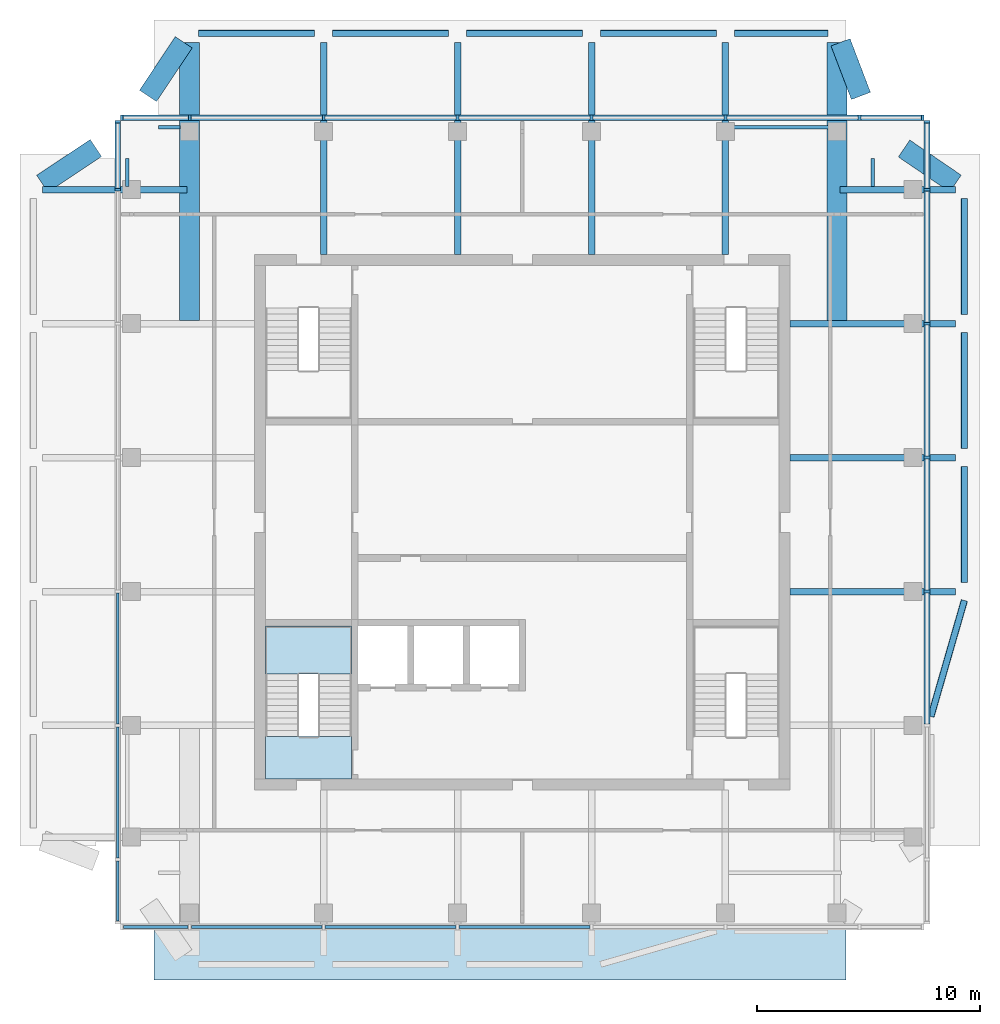
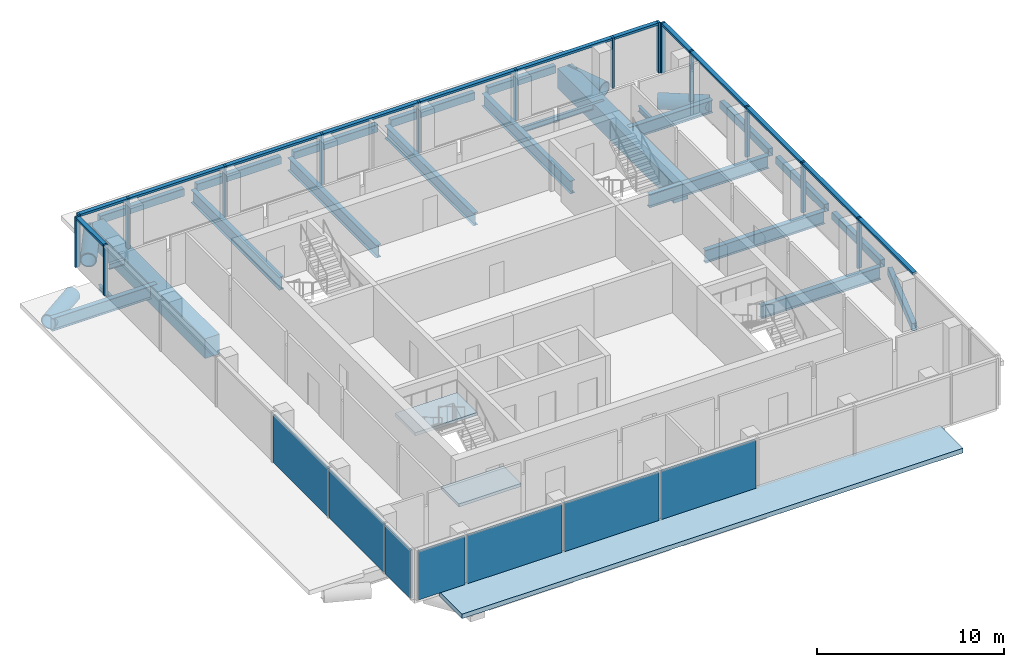
# One storey, part 2 of 6: 28 beams, 28 members, 7 plates, 3 slabs, 5 elements without a shape of their own.
"""IFC4 building model written with IfcOpenShell, lengths in metres."""

from ifc_helpers import new_model, si_unit, direction, frame, origin, origin_2d, place, context, subcontext, project, spatial, polyline, rectangle, hollow_rectangle, hollow_circle, i_section, outline, extrude, material, layer, layer_set, material_profile, profile_set, type_object, element, aggregate, save


model = new_model("IFC4")

# Units and contexts
model_context = context("Model", 3, precision=1e-05, world=origin(), true_north=direction((0.0, 1.0)))
body_context = subcontext(model_context, "Body", "Model", "MODEL_VIEW")
ifc_project = project(units=[si_unit("LENGTHUNIT", "METRE"), si_unit("AREAUNIT", "SQUARE_METRE"), si_unit("VOLUMEUNIT", "CUBIC_METRE"), si_unit("PLANEANGLEUNIT", "RADIAN"), si_unit("MASSUNIT", "GRAM", prefix="KILO")], contexts=[model_context])

# Site, building, storey
site_placement = place(None, origin())
site = spatial("IfcSite", under=ifc_project, at=site_placement, CompositionType="ELEMENT")
building_placement = place(site_placement, origin())
building = spatial("IfcBuilding", under=site, at=building_placement, Name="Amberfall Residences", CompositionType="ELEMENT")
storey_placement = place(building_placement, frame((0.0, 0.0, 290.800048828125)))
storey = spatial("IfcBuildingStorey", under=building, at=storey_placement, Name="L78 Crown", CompositionType="ELEMENT", Elevation=290.800048828125)

# Beams
ifc_material_1 = material(Name="Steel S355", Category="steel")
ifc_material_profile_1 = material_profile(ifc_material_1, hollow_circle(Radius=0.457275390625, WallThickness=0.06005859375, at=origin_2d()), Name="CHS 914.4x60")
ifc_profile_set_1 = profile_set([ifc_material_profile_1], Name="Steel S355")
beam_type_1 = type_object("IfcBeamType", Name="Belt truss chord BT CHS 914.4x60", PredefinedType="BEAM", material=ifc_profile_set_1)
beam_1_placement = place(storey_placement, frame((89.666748046875, 64.60009765625, -0.75732421875), z_axis=(-0.356015093317, 0.934480204889, 0.0), x_axis=(-0.934480204889, -0.356015093317, 0.0)))
element("IfcBeam", 1, at=beam_1_placement, inside=storey, type_object=beam_type_1, Name="Belt truss chord BT BT2 L78 Crown 49", PredefinedType="BEAM", context=body_context, shape_type="SweptSolid", body=[
    extrude(hollow_circle(Radius=0.457275390625, WallThickness=0.06005859375, at=origin_2d()), origin(), (0.0, 0.0, 1.0), 2.568115234375),
])
beam_2_placement = place(storey_placement, frame((91.60009765625, 62.243896484375, -0.75732421875), z_axis=(0.825767125082, -0.564011218979, 0.0), x_axis=(0.564011218979, 0.825767125082, 0.0)))
element("IfcBeam", 2, at=beam_2_placement, inside=storey, type_object=beam_type_1, Name="Belt truss chord BT BT2 L78 Crown 50", PredefinedType="BEAM", context=body_context, shape_type="SweptSolid", body=[
    extrude(hollow_circle(Radius=0.457275390625, WallThickness=0.06005859375, at=origin_2d()), origin(), (0.0, 0.0, 1.0), 2.78515625),
])
for number, where, z_axis, x_axis, name in (
    (3, (57.7333984375, 64.60009765625, -0.75732421875), (0.554680662541, 0.832063316463, 0.0), (-0.832063316463, 0.554680662541, 0.0), "Belt truss chord BT BT2 L78 Crown 51"),
    (4, (55.39990234375, 62.2666015625, -0.75732421875), (-0.832063316463, -0.554680662541, 0.0), (0.554680662541, -0.832063316463, 0.0), "Belt truss chord BT BT2 L78 Crown 52"),
):
    element("IfcBeam", number, at=place(storey_placement, frame(where, z_axis=z_axis, x_axis=x_axis)), inside=storey, type_object=beam_type_1, Name=name, PredefinedType="BEAM", context=body_context, shape_type="SweptSolid", body=[
        extrude(hollow_circle(Radius=0.457275390625, WallThickness=0.06005859375, at=origin_2d()), origin(), (0.0, 0.0, 1.0), 2.88427734375),
    ])
ifc_material_profile_2 = material_profile(ifc_material_1, hollow_rectangle(XDim=0.300048828125, YDim=0.5, WallThickness=0.01611328125, InnerFilletRadius=0.01611328125, OuterFilletRadius=0.02392578125, at=origin_2d()), Name="RHS 500x300x16")
ifc_profile_set_2 = profile_set([ifc_material_profile_2], Name="Steel S355")
beam_type_2 = type_object("IfcBeamType", Name="Belt truss chord BT RHS 500x300x16", PredefinedType="BEAM", material=ifc_profile_set_2)
beam_3_placement = place(storey_placement, frame((92.800048828125, 36.800048828125, -0.550048828125), z_axis=(0.277163053945, 0.960822898108, 0.0), x_axis=(-0.960822898108, 0.277163053945, 0.0)))
element("IfcBeam", 5, at=beam_3_placement, inside=storey, type_object=beam_type_2, Name="Belt truss chord BT BT1 L78 Crown 13", PredefinedType="BEAM", context=body_context, shape_type="SweptSolid", body=[
    extrude(hollow_rectangle(XDim=0.300048828125, YDim=0.5, WallThickness=0.01611328125, InnerFilletRadius=0.01611328125, OuterFilletRadius=0.02392578125, at=origin_2d()), origin(), (0.0, 0.0, 1.0), 5.411865234375),
])
for number, where, z_axis, x_axis, name in (
    (6, (94.300048828125, 42.800048828125, -0.550048828125), (0.0, 1.0, 0.0), (-1.0, 0.0, 0.0), "Belt truss chord BT BT1 L78 Crown 14"),
    (7, (94.300048828125, 48.800048828125, -0.550048828125), (0.0, 1.0, 0.0), (-1.0, 0.0, 0.0), "Belt truss chord BT BT1 L78 Crown 15"),
    (8, (94.300048828125, 54.800048828125, -0.550048828125), (0.0, 1.0, 0.0), (-1.0, 0.0, 0.0), "Belt truss chord BT BT1 L78 Crown 16"),
    (9, (60.0, 67.39990234375, -0.550048828125), (1.0, 0.0, 0.0), (0.0, 1.0, 0.0), "Belt truss chord BT BT1 L78 Crown 23"),
    (10, (66.0, 67.39990234375, -0.550048828125), (1.0, 0.0, 0.0), (0.0, 1.0, 0.0), "Belt truss chord BT BT1 L78 Crown 24"),
    (11, (72.0, 67.39990234375, -0.550048828125), (1.0, 0.0, 0.0), (0.0, 1.0, 0.0), "Belt truss chord BT BT1 L78 Crown 25"),
    (12, (78.0, 67.39990234375, -0.550048828125), (1.0, 0.0, 0.0), (0.0, 1.0, 0.0), "Belt truss chord BT BT1 L78 Crown 26"),
):
    element("IfcBeam", number, at=place(storey_placement, frame(where, z_axis=z_axis, x_axis=x_axis)), inside=storey, type_object=beam_type_2, Name=name, PredefinedType="BEAM", context=body_context, shape_type="SweptSolid", body=[
        extrude(hollow_rectangle(XDim=0.300048828125, YDim=0.5, WallThickness=0.01611328125, InnerFilletRadius=0.01611328125, OuterFilletRadius=0.02392578125, at=origin_2d()), origin(), (0.0, 0.0, 1.0), 5.199951171875),
    ])
beam_4_placement = place(storey_placement, frame((84.0, 67.39990234375, -0.550048828125), z_axis=(1.0, 0.0, 0.0), x_axis=(0.0, 1.0, 0.0)))
element("IfcBeam", 13, at=beam_4_placement, inside=storey, type_object=beam_type_2, Name="Belt truss chord BT BT1 L78 Crown 27", PredefinedType="BEAM", context=body_context, shape_type="SweptSolid", body=[
    extrude(hollow_rectangle(XDim=0.300048828125, YDim=0.5, WallThickness=0.01611328125, InnerFilletRadius=0.01611328125, OuterFilletRadius=0.02392578125, at=origin_2d()), origin(), (0.0, 0.0, 1.0), 4.199951171875),
])

# Curtain wall, members
ifc_material_2 = material(Name="Bronze anodised aluminium and glass", Category="aluminium")
curtain_wall_type = type_object("IfcCurtainWallType", Name="Curtain wall CW6 crown louvre", PredefinedType="USERDEFINED", material=ifc_material_2)
curtain_wall_1_placement = place(storey_placement, origin())
curtain_wall_1 = element("IfcCurtainWall", 14, at=curtain_wall_1_placement, inside=storey, type_object=curtain_wall_type, Name="Curtain wall L78 Crown E E1", ObjectType="UNITISED CURTAIN WALL", PredefinedType="USERDEFINED")
ifc_material_3 = material(Name="Bronze anodised aluminium", Category="aluminium")
ifc_material_profile_3 = material_profile(ifc_material_3, rectangle(XDim=0.25, YDim=0.1201171875, at=origin_2d()), Name="CW6 mullion 120 x 250 bronze")
ifc_profile_set_3 = profile_set([ifc_material_profile_3], Name="Bronze anodised aluminium")
member_type_1 = type_object("IfcMemberType", Name="CW6 mullion 120 x 250 bronze", PredefinedType="MULLION", material=ifc_profile_set_3)
member_1_placement = place(storey_placement, frame((92.625, 42.39990234375, 0.0), z_axis=(0.0, 0.0, 1.0), x_axis=(-1.0, 0.0, 0.0)))
member_1 = element("IfcMember", 15, at=member_1_placement, type_object=member_type_1, Name="CW6 mullion 4", PredefinedType="MULLION", context=body_context, shape_type="SweptSolid", body=[
    extrude(rectangle(XDim=0.25, YDim=0.1201171875, at=origin_2d()), origin(), (0.0, 0.0, 1.0), 3.300048828125),
])
member_2_placement = place(storey_placement, frame((92.625, 48.39990234375, 0.0), z_axis=(0.0, 0.0, 1.0), x_axis=(-1.0, 0.0, 0.0)))
member_2 = element("IfcMember", 16, at=member_2_placement, type_object=member_type_1, Name="CW6 mullion 5", PredefinedType="MULLION", context=body_context, shape_type="SweptSolid", body=[
    extrude(rectangle(XDim=0.25, YDim=0.1201171875, at=origin_2d()), origin(), (0.0, 0.0, 1.0), 3.300048828125),
])
member_3_placement = place(storey_placement, frame((92.625, 54.39990234375, 0.0), z_axis=(0.0, 0.0, 1.0), x_axis=(-1.0, 0.0, 0.0)))
member_3 = element("IfcMember", 17, at=member_3_placement, type_object=member_type_1, Name="CW6 mullion 6", PredefinedType="MULLION", context=body_context, shape_type="SweptSolid", body=[
    extrude(rectangle(XDim=0.25, YDim=0.1201171875, at=origin_2d()), origin(), (0.0, 0.0, 1.0), 3.300048828125),
])
member_4_placement = place(storey_placement, frame((92.625, 60.39990234375, 0.0), z_axis=(0.0, 0.0, 1.0), x_axis=(-1.0, 0.0, 0.0)))
member_4 = element("IfcMember", 18, at=member_4_placement, type_object=member_type_1, Name="CW6 mullion 7", PredefinedType="MULLION", context=body_context, shape_type="SweptSolid", body=[
    extrude(rectangle(XDim=0.25, YDim=0.1201171875, at=origin_2d()), origin(), (0.0, 0.0, 1.0), 3.300048828125),
])
member_5_placement = place(storey_placement, frame((92.625, 63.43994140625, 0.0), z_axis=(0.0, 0.0, 1.0), x_axis=(-1.0, 0.0, 0.0)))
member_5 = element("IfcMember", 19, at=member_5_placement, type_object=member_type_1, Name="CW6 mullion 8", PredefinedType="MULLION", context=body_context, shape_type="SweptSolid", body=[
    extrude(rectangle(XDim=0.25, YDim=0.1201171875, at=origin_2d()), origin(), (0.0, 0.0, 1.0), 3.300048828125),
])

curtain_wall_2_placement = place(storey_placement, origin())
curtain_wall_2 = element("IfcCurtainWall", 20, at=curtain_wall_2_placement, inside=storey, type_object=curtain_wall_type, Name="Curtain wall L78 Crown N N1", ObjectType="UNITISED CURTAIN WALL", PredefinedType="USERDEFINED")
member_6_placement = place(storey_placement, frame((92.43994140625, 63.625, 0.0), z_axis=(0.0, 0.0, 1.0), x_axis=(0.0, -1.0, 0.0)))
member_6 = element("IfcMember", 21, at=member_6_placement, type_object=member_type_1, Name="CW6 mullion 1", PredefinedType="MULLION", context=body_context, shape_type="SweptSolid", body=[
    extrude(rectangle(XDim=0.25, YDim=0.1201171875, at=origin_2d()), origin(), (0.0, 0.0, 1.0), 3.300048828125),
])
member_7_placement = place(storey_placement, frame((89.60009765625, 63.625, 0.0), z_axis=(0.0, 0.0, 1.0), x_axis=(0.0, -1.0, 0.0)))
member_7 = element("IfcMember", 22, at=member_7_placement, type_object=member_type_1, Name="CW6 mullion 2", PredefinedType="MULLION", context=body_context, shape_type="SweptSolid", body=[
    extrude(rectangle(XDim=0.25, YDim=0.1201171875, at=origin_2d()), origin(), (0.0, 0.0, 1.0), 3.300048828125),
])
member_8_placement = place(storey_placement, frame((83.60009765625, 63.625, 0.0), z_axis=(0.0, 0.0, 1.0), x_axis=(0.0, -1.0, 0.0)))
member_8 = element("IfcMember", 23, at=member_8_placement, type_object=member_type_1, Name="CW6 mullion 3", PredefinedType="MULLION", context=body_context, shape_type="SweptSolid", body=[
    extrude(rectangle(XDim=0.25, YDim=0.1201171875, at=origin_2d()), origin(), (0.0, 0.0, 1.0), 3.300048828125),
])
member_9_placement = place(storey_placement, frame((77.60009765625, 63.625, 0.0), z_axis=(0.0, 0.0, 1.0), x_axis=(0.0, -1.0, 0.0)))
member_9 = element("IfcMember", 24, at=member_9_placement, type_object=member_type_1, Name="CW6 mullion 4", PredefinedType="MULLION", context=body_context, shape_type="SweptSolid", body=[
    extrude(rectangle(XDim=0.25, YDim=0.1201171875, at=origin_2d()), origin(), (0.0, 0.0, 1.0), 3.300048828125),
])
member_10_placement = place(storey_placement, frame((71.60009765625, 63.625, 0.0), z_axis=(0.0, 0.0, 1.0), x_axis=(0.0, -1.0, 0.0)))
member_10 = element("IfcMember", 25, at=member_10_placement, type_object=member_type_1, Name="CW6 mullion 5", PredefinedType="MULLION", context=body_context, shape_type="SweptSolid", body=[
    extrude(rectangle(XDim=0.25, YDim=0.1201171875, at=origin_2d()), origin(), (0.0, 0.0, 1.0), 3.300048828125),
])
member_11_placement = place(storey_placement, frame((65.60009765625, 63.625, 0.0), z_axis=(0.0, 0.0, 1.0), x_axis=(0.0, -1.0, 0.0)))
member_11 = element("IfcMember", 26, at=member_11_placement, type_object=member_type_1, Name="CW6 mullion 6", PredefinedType="MULLION", context=body_context, shape_type="SweptSolid", body=[
    extrude(rectangle(XDim=0.25, YDim=0.1201171875, at=origin_2d()), origin(), (0.0, 0.0, 1.0), 3.300048828125),
])
member_12_placement = place(storey_placement, frame((59.60009765625, 63.625, 0.0), z_axis=(0.0, 0.0, 1.0), x_axis=(0.0, -1.0, 0.0)))
member_12 = element("IfcMember", 27, at=member_12_placement, type_object=member_type_1, Name="CW6 mullion 7", PredefinedType="MULLION", context=body_context, shape_type="SweptSolid", body=[
    extrude(rectangle(XDim=0.25, YDim=0.1201171875, at=origin_2d()), origin(), (0.0, 0.0, 1.0), 3.300048828125),
])
member_13_placement = place(storey_placement, frame((56.56005859375, 63.625, 0.0), z_axis=(0.0, 0.0, 1.0), x_axis=(0.0, -1.0, 0.0)))
member_13 = element("IfcMember", 28, at=member_13_placement, type_object=member_type_1, Name="CW6 mullion 8", PredefinedType="MULLION", context=body_context, shape_type="SweptSolid", body=[
    extrude(rectangle(XDim=0.25, YDim=0.1201171875, at=origin_2d()), origin(), (0.0, 0.0, 1.0), 3.300048828125),
])

curtain_wall_3_placement = place(storey_placement, origin())
curtain_wall_3 = element("IfcCurtainWall", 29, at=curtain_wall_3_placement, inside=storey, type_object=curtain_wall_type, Name="Curtain wall L78 Crown W W1", ObjectType="UNITISED CURTAIN WALL", PredefinedType="USERDEFINED")
member_14_placement = place(storey_placement, frame((56.375, 63.43994140625, 0.0), z_axis=(0.0, 0.0, 1.0), x_axis=(1.0, 0.0, 0.0)))
member_14 = element("IfcMember", 30, at=member_14_placement, type_object=member_type_1, Name="CW6 mullion 1", PredefinedType="MULLION", context=body_context, shape_type="SweptSolid", body=[
    extrude(rectangle(XDim=0.25, YDim=0.1201171875, at=origin_2d()), origin(), (0.0, 0.0, 1.0), 3.300048828125),
])
member_15_placement = place(storey_placement, frame((56.375, 60.39990234375, 0.0), z_axis=(0.0, 0.0, 1.0), x_axis=(1.0, 0.0, 0.0)))
member_15 = element("IfcMember", 31, at=member_15_placement, type_object=member_type_1, Name="CW6 mullion 2", PredefinedType="MULLION", context=body_context, shape_type="SweptSolid", body=[
    extrude(rectangle(XDim=0.25, YDim=0.1201171875, at=origin_2d()), origin(), (0.0, 0.0, 1.0), 3.300048828125),
])

# Member
ifc_material_profile_4 = material_profile(ifc_material_3, rectangle(XDim=0.25, YDim=0.14990234375, at=origin_2d()), Name="CW6 transom 250 x 150 bronze")
ifc_profile_set_4 = profile_set([ifc_material_profile_4], Name="Bronze anodised aluminium")
member_type_2 = type_object("IfcMemberType", Name="CW6 transom 250 x 150 bronze", PredefinedType="USERDEFINED", material=ifc_profile_set_4)
member_16_placement = place(storey_placement, frame((92.625, 36.4599609375, 3.224853515625), z_axis=(0.0, 1.0, 0.0), x_axis=(-1.0, 0.0, 0.0)))
member_16 = element("IfcMember", 32, at=member_16_placement, type_object=member_type_2, Name="CW6 transom 3.1", ObjectType="TRANSOM", PredefinedType="USERDEFINED", context=body_context, shape_type="SweptSolid", body=[
    extrude(rectangle(XDim=0.25, YDim=0.14990234375, at=origin_2d()), origin(), (0.0, 0.0, 1.0), 5.880126953125),
])

member_17_placement = place(storey_placement, frame((92.625, 42.4599609375, 3.224853515625), z_axis=(0.0, 1.0, 0.0), x_axis=(-1.0, 0.0, 0.0)))
member_17 = element("IfcMember", 33, at=member_17_placement, type_object=member_type_2, Name="CW6 transom 4.1", ObjectType="TRANSOM", PredefinedType="USERDEFINED", context=body_context, shape_type="SweptSolid", body=[
    extrude(rectangle(XDim=0.25, YDim=0.14990234375, at=origin_2d()), origin(), (0.0, 0.0, 1.0), 5.880126953125),
])

member_18_placement = place(storey_placement, frame((92.625, 48.4599609375, 3.224853515625), z_axis=(0.0, 1.0, 0.0), x_axis=(-1.0, 0.0, 0.0)))
member_18 = element("IfcMember", 34, at=member_18_placement, type_object=member_type_2, Name="CW6 transom 5.1", ObjectType="TRANSOM", PredefinedType="USERDEFINED", context=body_context, shape_type="SweptSolid", body=[
    extrude(rectangle(XDim=0.25, YDim=0.14990234375, at=origin_2d()), origin(), (0.0, 0.0, 1.0), 5.880126953125),
])

member_19_placement = place(storey_placement, frame((92.625, 54.4599609375, 3.224853515625), z_axis=(0.0, 1.0, 0.0), x_axis=(-1.0, 0.0, 0.0)))
member_19 = element("IfcMember", 35, at=member_19_placement, type_object=member_type_2, Name="CW6 transom 6.1", ObjectType="TRANSOM", PredefinedType="USERDEFINED", context=body_context, shape_type="SweptSolid", body=[
    extrude(rectangle(XDim=0.25, YDim=0.14990234375, at=origin_2d()), origin(), (0.0, 0.0, 1.0), 5.880126953125),
])

member_20_placement = place(storey_placement, frame((92.625, 60.4599609375, 3.224853515625), z_axis=(0.0, 1.0, 0.0), x_axis=(-1.0, 0.0, 0.0)))
member_20 = element("IfcMember", 36, at=member_20_placement, type_object=member_type_2, Name="CW6 transom 7.1", ObjectType="TRANSOM", PredefinedType="USERDEFINED", context=body_context, shape_type="SweptSolid", body=[
    extrude(rectangle(XDim=0.25, YDim=0.14990234375, at=origin_2d()), origin(), (0.0, 0.0, 1.0), 2.919921875),
])

aggregate(curtain_wall_1, [member_1, member_2, member_3, member_4, member_5, member_16, member_17, member_18, member_19, member_20])

member_21_placement = place(storey_placement, frame((92.3798828125, 63.625, 3.224853515625), z_axis=(-1.0, 0.0, 0.0), x_axis=(0.0, -1.0, 0.0)))
member_21 = element("IfcMember", 37, at=member_21_placement, type_object=member_type_2, Name="CW6 transom 1.1", ObjectType="TRANSOM", PredefinedType="USERDEFINED", context=body_context, shape_type="SweptSolid", body=[
    extrude(rectangle(XDim=0.25, YDim=0.14990234375, at=origin_2d()), origin(), (0.0, 0.0, 1.0), 2.719970703125),
])

member_22_placement = place(storey_placement, frame((89.5400390625, 63.625, 3.224853515625), z_axis=(-1.0, 0.0, 0.0), x_axis=(0.0, -1.0, 0.0)))
member_22 = element("IfcMember", 38, at=member_22_placement, type_object=member_type_2, Name="CW6 transom 2.1", ObjectType="TRANSOM", PredefinedType="USERDEFINED", context=body_context, shape_type="SweptSolid", body=[
    extrude(rectangle(XDim=0.25, YDim=0.14990234375, at=origin_2d()), origin(), (0.0, 0.0, 1.0), 5.880126953125),
])

member_23_placement = place(storey_placement, frame((83.5400390625, 63.625, 3.224853515625), z_axis=(-1.0, 0.0, 0.0), x_axis=(0.0, -1.0, 0.0)))
member_23 = element("IfcMember", 39, at=member_23_placement, type_object=member_type_2, Name="CW6 transom 3.1", ObjectType="TRANSOM", PredefinedType="USERDEFINED", context=body_context, shape_type="SweptSolid", body=[
    extrude(rectangle(XDim=0.25, YDim=0.14990234375, at=origin_2d()), origin(), (0.0, 0.0, 1.0), 5.880126953125),
])

member_24_placement = place(storey_placement, frame((77.5400390625, 63.625, 3.224853515625), z_axis=(-1.0, 0.0, 0.0), x_axis=(0.0, -1.0, 0.0)))
member_24 = element("IfcMember", 40, at=member_24_placement, type_object=member_type_2, Name="CW6 transom 4.1", ObjectType="TRANSOM", PredefinedType="USERDEFINED", context=body_context, shape_type="SweptSolid", body=[
    extrude(rectangle(XDim=0.25, YDim=0.14990234375, at=origin_2d()), origin(), (0.0, 0.0, 1.0), 5.880126953125),
])

member_25_placement = place(storey_placement, frame((71.5400390625, 63.625, 3.224853515625), z_axis=(-1.0, 0.0, 0.0), x_axis=(0.0, -1.0, 0.0)))
member_25 = element("IfcMember", 41, at=member_25_placement, type_object=member_type_2, Name="CW6 transom 5.1", ObjectType="TRANSOM", PredefinedType="USERDEFINED", context=body_context, shape_type="SweptSolid", body=[
    extrude(rectangle(XDim=0.25, YDim=0.14990234375, at=origin_2d()), origin(), (0.0, 0.0, 1.0), 5.880126953125),
])

member_26_placement = place(storey_placement, frame((65.5400390625, 63.625, 3.224853515625), z_axis=(-1.0, 0.0, 0.0), x_axis=(0.0, -1.0, 0.0)))
member_26 = element("IfcMember", 42, at=member_26_placement, type_object=member_type_2, Name="CW6 transom 6.1", ObjectType="TRANSOM", PredefinedType="USERDEFINED", context=body_context, shape_type="SweptSolid", body=[
    extrude(rectangle(XDim=0.25, YDim=0.14990234375, at=origin_2d()), origin(), (0.0, 0.0, 1.0), 5.880126953125),
])

member_27_placement = place(storey_placement, frame((59.5400390625, 63.625, 3.224853515625), z_axis=(-1.0, 0.0, 0.0), x_axis=(0.0, -1.0, 0.0)))
member_27 = element("IfcMember", 43, at=member_27_placement, type_object=member_type_2, Name="CW6 transom 7.1", ObjectType="TRANSOM", PredefinedType="USERDEFINED", context=body_context, shape_type="SweptSolid", body=[
    extrude(rectangle(XDim=0.25, YDim=0.14990234375, at=origin_2d()), origin(), (0.0, 0.0, 1.0), 2.919921875),
])

aggregate(curtain_wall_2, [member_6, member_7, member_8, member_9, member_10, member_11, member_12, member_13, member_21, member_22, member_23, member_24, member_25, member_26, member_27])

member_28_placement = place(storey_placement, frame((56.375, 63.3798828125, 3.224853515625), z_axis=(0.0, -1.0, 0.0), x_axis=(1.0, 0.0, 0.0)))
member_28 = element("IfcMember", 44, at=member_28_placement, type_object=member_type_2, Name="CW6 transom 1.1", ObjectType="TRANSOM", PredefinedType="USERDEFINED", context=body_context, shape_type="SweptSolid", body=[
    extrude(rectangle(XDim=0.25, YDim=0.14990234375, at=origin_2d()), origin(), (0.0, 0.0, 1.0), 2.919921875),
])

# Beams
ifc_material_profile_5 = material_profile(ifc_material_1, i_section(OverallWidth=0.171142578125, OverallDepth=0.351318359375, WebThickness=0.007080078125, FlangeThickness=0.009765625, FilletRadius=0.01025390625, at=origin_2d()), Name="UB 356x171x45")
ifc_profile_set_5 = profile_set([ifc_material_profile_5], Name="Steel S355")
beam_type_3 = type_object("IfcBeamType", Name="Link beam UB 356x171x45", PredefinedType="BEAM", material=ifc_profile_set_5)
beam_5_placement = place(storey_placement, frame((88.800048828125, 63.199951171875, -0.475830078125), z_axis=(-1.0, 0.0, 0.0), x_axis=(0.0, -1.0, 0.0)))
element("IfcBeam", 45, at=beam_5_placement, inside=storey, type_object=beam_type_3, Name="Link beam B7 L78 Crown 57", PredefinedType="BEAM", context=body_context, shape_type="SweptSolid", body=[
    extrude(i_section(OverallWidth=0.171142578125, OverallDepth=0.351318359375, WebThickness=0.007080078125, FlangeThickness=0.009765625, FilletRadius=0.01025390625, at=origin_2d()), origin(), (0.0, 0.0, 1.0), 5.064208984375),
])
beam_6_placement = place(storey_placement, frame((90.199951171875, 61.800048828125, -0.475830078125), z_axis=(0.0, -1.0, 0.0), x_axis=(1.0, 0.0, 0.0)))
element("IfcBeam", 46, at=beam_6_placement, inside=storey, type_object=beam_type_3, Name="Link beam B7 L78 Crown 58", PredefinedType="BEAM", context=body_context, shape_type="SweptSolid", body=[
    extrude(i_section(OverallWidth=0.171142578125, OverallDepth=0.351318359375, WebThickness=0.007080078125, FlangeThickness=0.009765625, FilletRadius=0.01025390625, at=origin_2d()), origin(), (0.0, 0.0, 1.0), 1.26416015625),
])
beam_7_placement = place(storey_placement, frame((58.199951171875, 63.199951171875, -0.475830078125), z_axis=(1.0, 0.0, 0.0), x_axis=(0.0, 1.0, 0.0)))
element("IfcBeam", 47, at=beam_7_placement, inside=storey, type_object=beam_type_3, Name="Link beam B7 L78 Crown 59", PredefinedType="BEAM", context=body_context, shape_type="SweptSolid", body=[
    extrude(i_section(OverallWidth=0.171142578125, OverallDepth=0.351318359375, WebThickness=0.007080078125, FlangeThickness=0.009765625, FilletRadius=0.01025390625, at=origin_2d()), origin(), (0.0, 0.0, 1.0), 0.9599609375),
])
beam_8_placement = place(storey_placement, frame((56.800048828125, 61.800048828125, -0.475830078125), z_axis=(0.0, -1.0, 0.0), x_axis=(1.0, 0.0, 0.0)))
element("IfcBeam", 48, at=beam_8_placement, inside=storey, type_object=beam_type_3, Name="Link beam B7 L78 Crown 60", PredefinedType="BEAM", context=body_context, shape_type="SweptSolid", body=[
    extrude(i_section(OverallWidth=0.171142578125, OverallDepth=0.351318359375, WebThickness=0.007080078125, FlangeThickness=0.009765625, FilletRadius=0.01025390625, at=origin_2d()), origin(), (0.0, 0.0, 1.0), 1.26416015625),
])
ifc_material_4 = material(Name="Concrete C60", Category="concrete")
ifc_material_profile_6 = material_profile(ifc_material_4, rectangle(XDim=0.89990234375, YDim=1.300048828125, at=origin_2d()), Name="Transfer girder 900 x 1300 C60")
ifc_profile_set_6 = profile_set([ifc_material_profile_6], Name="Concrete C60")
beam_type_4 = type_object("IfcBeamType", Name="Transfer girder 900 x 1300 C60", PredefinedType="BEAM", material=ifc_profile_set_6)
for number, where, z_axis, x_axis, name in (
    (49, (59.60009765625, 67.0, -0.953125), (0.0, -1.0, 0.0), (1.0, 0.0, 0.0), "Transfer girder B5 L78 Crown 28"),
    (50, (88.60009765625, 67.0, -0.953125), (0.0, -1.0, 0.0), (1.0, 0.0, 0.0), "Transfer girder B5 L78 Crown 33"),
):
    element("IfcBeam", number, at=place(storey_placement, frame(where, z_axis=z_axis, x_axis=x_axis)), inside=storey, type_object=beam_type_4, Name=name, PredefinedType="BEAM", context=body_context, shape_type="SweptSolid", body=[
        extrude(rectangle(XDim=0.89990234375, YDim=1.300048828125, at=origin_2d()), origin(), (0.0, 0.0, 1.0), 12.459228515625),
    ])
ifc_material_profile_7 = material_profile(ifc_material_1, i_section(OverallWidth=0.29150390625, OverallDepth=0.8349609375, WebThickness=0.013916015625, FlangeThickness=0.018798828125, FilletRadius=0.017822265625, at=origin_2d()), Name="UB 838x292x176")
ifc_profile_set_7 = profile_set([ifc_material_profile_7], Name="Steel S355")
beam_type_5 = type_object("IfcBeamType", Name="Transfer girder UB 838x292x176", PredefinedType="BEAM", material=ifc_profile_set_7)
for number, where, z_axis, x_axis, name in (
    (51, (93.89990234375, 42.39990234375, -0.717529296875), (-1.0, 0.0, 0.0), (0.0, -1.0, 0.0), "Transfer girder B6 L78 Crown 19"),
    (52, (93.89990234375, 48.39990234375, -0.717529296875), (-1.0, 0.0, 0.0), (0.0, -1.0, 0.0), "Transfer girder B6 L78 Crown 20"),
    (53, (93.89990234375, 54.39990234375, -0.723388671875), (-1.0, 0.0, 0.0), (0.0, -1.0, 0.0), "Transfer girder B6 L78 Crown 21"),
):
    element("IfcBeam", number, at=place(storey_placement, frame(where, z_axis=z_axis, x_axis=x_axis)), inside=storey, type_object=beam_type_5, Name=name, PredefinedType="BEAM", context=body_context, shape_type="SweptSolid", body=[
        extrude(i_section(OverallWidth=0.29150390625, OverallDepth=0.8349609375, WebThickness=0.013916015625, FlangeThickness=0.018798828125, FilletRadius=0.017822265625, at=origin_2d()), origin(), (0.0, 0.0, 1.0), 7.39990234375),
    ])
beam_9_placement = place(storey_placement, frame((93.89990234375, 60.39990234375, -0.717529296875), z_axis=(-1.0, 0.0, 0.0), x_axis=(0.0, -1.0, 0.0)))
element("IfcBeam", 54, at=beam_9_placement, inside=storey, type_object=beam_type_5, Name="Transfer girder B6 L78 Crown 22", PredefinedType="BEAM", context=body_context, shape_type="SweptSolid", body=[
    extrude(i_section(OverallWidth=0.29150390625, OverallDepth=0.8349609375, WebThickness=0.013916015625, FlangeThickness=0.018798828125, FilletRadius=0.017822265625, at=origin_2d()), origin(), (0.0, 0.0, 1.0), 5.179931640625),
])
for number, where, z_axis, x_axis, name in (
    (55, (65.60009765625, 67.0, -0.717529296875), (0.0, -1.0, 0.0), (1.0, 0.0, 0.0), "Transfer girder B6 L78 Crown 29"),
    (56, (71.60009765625, 67.0, -0.717529296875), (0.0, -1.0, 0.0), (1.0, 0.0, 0.0), "Transfer girder B6 L78 Crown 30"),
    (57, (77.60009765625, 67.0, -0.717529296875), (0.0, -1.0, 0.0), (1.0, 0.0, 0.0), "Transfer girder B6 L78 Crown 31"),
    (58, (83.60009765625, 67.0, -0.717529296875), (0.0, -1.0, 0.0), (1.0, 0.0, 0.0), "Transfer girder B6 L78 Crown 32"),
):
    element("IfcBeam", number, at=place(storey_placement, frame(where, z_axis=z_axis, x_axis=x_axis)), inside=storey, type_object=beam_type_5, Name=name, PredefinedType="BEAM", context=body_context, shape_type="SweptSolid", body=[
        extrude(i_section(OverallWidth=0.29150390625, OverallDepth=0.8349609375, WebThickness=0.013916015625, FlangeThickness=0.018798828125, FilletRadius=0.017822265625, at=origin_2d()), origin(), (0.0, 0.0, 1.0), 9.5),
    ])
beam_10_placement = place(storey_placement, frame((53.0, 60.39990234375, -0.717529296875), z_axis=(1.0, 0.0, 0.0), x_axis=(0.0, 1.0, 0.0)))
element("IfcBeam", 59, at=beam_10_placement, inside=storey, type_object=beam_type_5, Name="Transfer girder B6 L78 Crown 44", PredefinedType="BEAM", context=body_context, shape_type="SweptSolid", body=[
    extrude(i_section(OverallWidth=0.29150390625, OverallDepth=0.8349609375, WebThickness=0.013916015625, FlangeThickness=0.018798828125, FilletRadius=0.017822265625, at=origin_2d()), origin(), (0.0, 0.0, 1.0), 6.47998046875),
])

# Curtain wall, plates
curtain_wall_4_placement = place(storey_placement, origin())
curtain_wall_4 = element("IfcCurtainWall", 60, at=curtain_wall_4_placement, inside=storey, type_object=curtain_wall_type, Name="Curtain wall L78 Crown S S1", ObjectType="UNITISED CURTAIN WALL", PredefinedType="USERDEFINED")
ifc_material_5 = material(Name="Bronze aluminium louvre", Category="aluminium")
ifc_layer_1 = layer(ifc_material_5, 0.1201171875)
ifc_layer_set_1 = layer_set([ifc_layer_1], Name="CW6 panel 120 louvre")
plate_type = type_object("IfcPlateType", Name="CW6 panel 120 louvre", PredefinedType="CURTAIN_PANEL", material=ifc_layer_set_1)
plate_1_placement = place(storey_placement, frame((58.080078125, 27.375, 0.0), z_axis=(0.0, 0.0, 1.0), x_axis=(1.0, 0.0, 0.0)))
plate_1 = element("IfcPlate", 61, at=plate_1_placement, type_object=plate_type, Name="CW6 panel 1.1", PredefinedType="CURTAIN_PANEL", context=body_context, shape_type="SweptSolid", body=[
    extrude(rectangle(XDim=2.89599609375, YDim=0.1201171875, at=origin_2d()), origin(), (0.0, 0.0, 1.0), 3.14990234375),
])
plate_2_placement = place(storey_placement, frame((62.60009765625, 27.375, 0.0), z_axis=(0.0, 0.0, 1.0), x_axis=(1.0, 0.0, 0.0)))
plate_2 = element("IfcPlate", 62, at=plate_2_placement, type_object=plate_type, Name="CW6 panel 2.1", PredefinedType="CURTAIN_PANEL", context=body_context, shape_type="SweptSolid", body=[
    extrude(rectangle(XDim=5.85595703125, YDim=0.1201171875, at=origin_2d()), origin(), (0.0, 0.0, 1.0), 3.14990234375),
])
plate_3_placement = place(storey_placement, frame((68.60009765625, 27.375, 0.0), z_axis=(0.0, 0.0, 1.0), x_axis=(1.0, 0.0, 0.0)))
plate_3 = element("IfcPlate", 63, at=plate_3_placement, type_object=plate_type, Name="CW6 panel 3.1", PredefinedType="CURTAIN_PANEL", context=body_context, shape_type="SweptSolid", body=[
    extrude(rectangle(XDim=5.85595703125, YDim=0.1201171875, at=origin_2d()), origin(), (0.0, 0.0, 1.0), 3.14990234375),
])
plate_4_placement = place(storey_placement, frame((74.60009765625, 27.375, 0.0), z_axis=(0.0, 0.0, 1.0), x_axis=(1.0, 0.0, 0.0)))
plate_4 = element("IfcPlate", 64, at=plate_4_placement, type_object=plate_type, Name="CW6 panel 4.1", PredefinedType="CURTAIN_PANEL", context=body_context, shape_type="SweptSolid", body=[
    extrude(rectangle(XDim=5.85595703125, YDim=0.1201171875, at=origin_2d()), origin(), (0.0, 0.0, 1.0), 3.14990234375),
])
aggregate(curtain_wall_4, [plate_1, plate_2, plate_3, plate_4])

# Plate
plate_5_placement = place(storey_placement, frame((56.375, 39.39990234375, 0.0), z_axis=(0.0, 0.0, 1.0), x_axis=(0.0, -1.0, 0.0)))
plate_5 = element("IfcPlate", 65, at=plate_5_placement, type_object=plate_type, Name="CW6 panel 5.1", PredefinedType="CURTAIN_PANEL", context=body_context, shape_type="SweptSolid", body=[
    extrude(rectangle(XDim=5.85595703125, YDim=0.1201171875, at=origin_2d()), origin(), (0.0, 0.0, 1.0), 3.14990234375),
])

plate_6_placement = place(storey_placement, frame((56.375, 33.39990234375, 0.0), z_axis=(0.0, 0.0, 1.0), x_axis=(0.0, -1.0, 0.0)))
plate_6 = element("IfcPlate", 66, at=plate_6_placement, type_object=plate_type, Name="CW6 panel 6.1", PredefinedType="CURTAIN_PANEL", context=body_context, shape_type="SweptSolid", body=[
    extrude(rectangle(XDim=5.85595703125, YDim=0.1201171875, at=origin_2d()), origin(), (0.0, 0.0, 1.0), 3.14990234375),
])

plate_7_placement = place(storey_placement, frame((56.375, 28.97998046875, 0.0), z_axis=(0.0, 0.0, 1.0), x_axis=(0.0, -1.0, 0.0)))
plate_7 = element("IfcPlate", 67, at=plate_7_placement, type_object=plate_type, Name="CW6 panel 7.1", PredefinedType="CURTAIN_PANEL", context=body_context, shape_type="SweptSolid", body=[
    extrude(rectangle(XDim=2.696044921875, YDim=0.1201171875, at=origin_2d()), origin(), (0.0, 0.0, 1.0), 3.14990234375),
])

aggregate(curtain_wall_3, [member_14, member_15, member_28, plate_5, plate_6, plate_7])

# Slab
ifc_material_6 = material(Name="Concrete C50", Category="concrete")
ifc_layer_2 = layer(ifc_material_6, 0.300048828125)
ifc_layer_set_2 = layer_set([ifc_layer_2], Name="Roof slab 300 C50")
slab_type_1 = type_object("IfcSlabType", Name="Roof slab 300 C50", PredefinedType="ROOF", material=ifc_layer_set_2)
slab_1_placement = place(storey_placement, frame((0.0, 0.0, -0.300048828125)))
element("IfcSlab", 68, at=slab_1_placement, inside=storey, type_object=slab_type_1, Name="Roof slab S23 L78 Crown 1", PredefinedType="ROOF", context=body_context, shape_type="SweptSolid", body=[
    extrude(outline(polyline([(58.0, 25.0), (58.0, 27.5), (89.0, 27.5), (89.0, 25.0), (58.0, 25.0)])), origin(), (0.0, 0.0, 1.0), 0.300048828125),
])

# Stair, slabs
ifc_material_7 = material(Name="Concrete C40", Category="concrete")
stair_type = type_object("IfcStairType", Name="Exit stair 22 risers 163.6 mm", PredefinedType="HALF_TURN_STAIR", material=ifc_material_7)
stair_placement = place(storey_placement, origin())
stair = element("IfcStair", 69, at=stair_placement, inside=storey, type_object=stair_type, Name="L78 Crown Exit stair 1", PredefinedType="HALF_TURN_STAIR")
ifc_layer_3 = layer(ifc_material_7, 0.199951171875)
ifc_layer_set_3 = layer_set([ifc_layer_3], Name="Stair landing 200")
slab_type_2 = type_object("IfcSlabType", Name="Stair landing 200", PredefinedType="LANDING", material=ifc_layer_set_3)
slab_2_placement = place(storey_placement, frame((0.0, 0.0, 1.599853515625)))
slab_2 = element("IfcSlab", 70, at=slab_2_placement, type_object=slab_type_2, Name="ST5 landing 1", PredefinedType="LANDING", context=body_context, shape_type="SweptSolid", body=[
    extrude(outline(polyline([(66.85009765625, 38.699951171875), (66.85009765625, 40.85009765625), (63.0, 40.85009765625), (63.0, 38.699951171875), (66.85009765625, 38.699951171875)])), origin(), (0.0, 0.0, 1.0), 0.2001953125),
])
slab_3_placement = place(storey_placement, frame((0.0, 0.0, -0.199951171875)))
slab_3 = element("IfcSlab", 71, at=slab_3_placement, type_object=slab_type_2, Name="ST5 landing 2", PredefinedType="LANDING", context=body_context, shape_type="SweptSolid", body=[
    extrude(outline(polyline([(66.85009765625, 34.0), (66.85009765625, 35.89990234375), (63.0, 35.89990234375), (63.0, 34.0), (66.85009765625, 34.0)])), origin(), (0.0, 0.0, 1.0), 0.199951171875),
])
aggregate(stair, [slab_2, slab_3])

save(model, "model.ifc")
